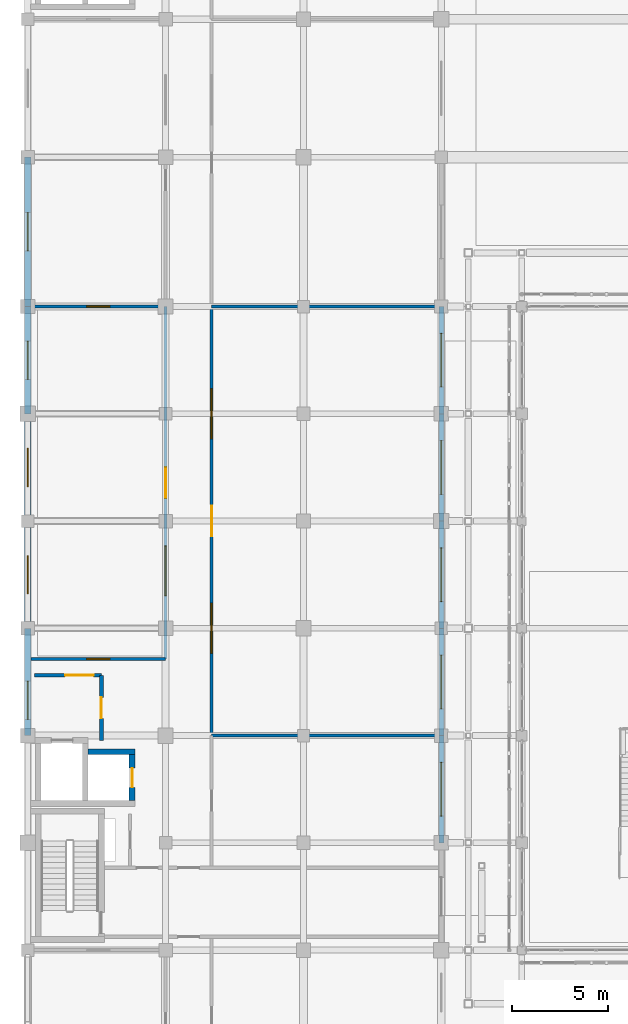
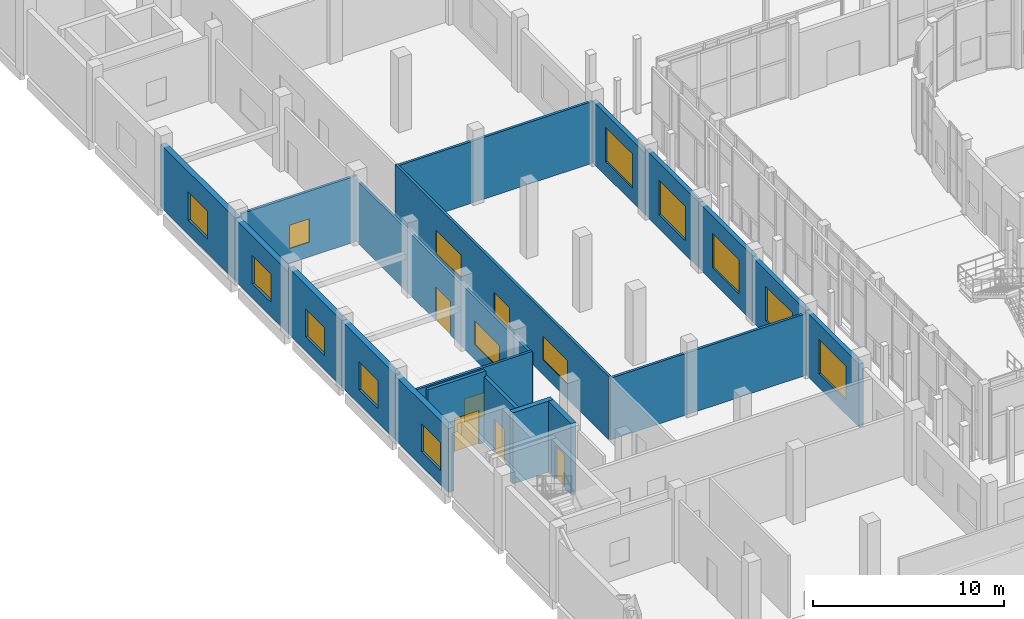
# One storey, part 68 of 91: 20 walls, 15 windows, 5 doors, 20 openings.
"""IFC4 building model written with IfcOpenShell, lengths in metres."""

from ifc_helpers import new_model, si_unit, direction, frame, frame_2d, origin, place, context, subcontext, project, spatial, rectangle, extrude, material, layer, layer_set, type_object, element, fill, save


model = new_model("IFC4")

# Units and contexts
model_context = context("Model", 3, precision=1e-05, world=origin(), true_north=direction((0.0, 1.0)))
body_context = subcontext(model_context, "Body", "Model", "MODEL_VIEW")
ifc_project = project(units=[si_unit("LENGTHUNIT", "METRE"), si_unit("AREAUNIT", "SQUARE_METRE"), si_unit("VOLUMEUNIT", "CUBIC_METRE"), si_unit("PLANEANGLEUNIT", "RADIAN"), si_unit("MASSUNIT", "GRAM", prefix="KILO")], contexts=[model_context])

# Site, building, storey
site_placement = place(None, origin())
site = spatial("IfcSite", under=ifc_project, at=site_placement, CompositionType="ELEMENT")
building_placement = place(site_placement, origin())
building = spatial("IfcBuilding", under=site, at=building_placement, Name="Vinh Khe Railworks Police Headquarters", CompositionType="ELEMENT")
storey_placement = place(building_placement, origin())
storey = spatial("IfcBuildingStorey", under=building, at=storey_placement, Name="L00", CompositionType="ELEMENT", Elevation=0.0)

# Wall
ifc_material_1 = material(Name="Concrete C40/50 (B40)", Category="concrete")
ifc_layer_1 = layer(ifc_material_1, 0.300048828125)
ifc_layer_set_1 = layer_set([ifc_layer_1], Name="Concrete C40/50 (B40)")
wall_type_1 = type_object("IfcWallType", Name="Core Shear Wall 300", PredefinedType="SHEAR", material=ifc_layer_set_1)
wall_1_placement = place(storey_placement, frame((3.75, 35.550048828125, 0.0), z_axis=(0.0, 0.0, 1.0), x_axis=(1.0, 0.0, 0.0)))
element("IfcWall", 1, at=wall_1_placement, inside=storey, type_object=wall_type_1, Name="Core C1 PL-N Lift Shaft Wall (L00)", PredefinedType="SHEAR", context=body_context, shape_type="SweptSolid", body=[
    extrude(rectangle(XDim=2.449951171875, YDim=0.300048828125, at=frame_2d((1.22509765625, 0.0))), origin(), (0.0, 0.0, 1.0), 4.56005859375),
])

# Wall, opening, door
wall_2_placement = place(storey_placement, frame((6.050048828125, 33.0, 0.0), z_axis=(0.0, 0.0, 1.0), x_axis=(0.0, 1.0, 0.0)))
wall_2 = element("IfcWall", 2, at=wall_2_placement, inside=storey, type_object=wall_type_1, Name="Core C1 PL-E Lift Shaft Wall (L00)", PredefinedType="SHEAR", context=body_context, shape_type="SweptSolid", body=[
    extrude(rectangle(XDim=2.39990234375, YDim=0.300048828125, at=frame_2d((1.199951171875, 0.0))), origin(), (0.0, 0.0, 1.0), 4.56005859375),
])
opening_1_placement = place(wall_2_placement, frame((0.699951171875, 0.0, 0.0)))
opening_1 = element("IfcOpeningElement", 3, at=opening_1_placement, cuts=wall_2, Name="Opening LD-02", PredefinedType="OPENING", context=body_context, shape_type="SweptSolid", body=[
    extrude(rectangle(XDim=1.0, YDim=2.14990234375, at=frame_2d((0.5, 1.074951171875))), frame((0.0, 0.1650390625, 0.0), z_axis=(0.0, -1.0, 0.0), x_axis=(1.0, 0.0, 0.0)), (0.0, 0.0, 1.0), 0.329833984375),
])
ifc_material_2 = material(Name="Painted galvanised steel", Category="steel")
door_type_1 = type_object("IfcDoorType", Name="LD-PAX-1000", OperationType="SLIDING_TO_RIGHT", PredefinedType="DOOR", material=ifc_material_2)
door_1_placement = place(opening_1_placement, frame((1.0, 0.0, 0.0), z_axis=(0.0, 0.0, 1.0), x_axis=(-1.0, 0.0, 0.0)))
door_1 = element("IfcDoor", 4, at=door_1_placement, inside=storey, type_object=door_type_1, Name="Passenger Lift Landing Door PL-01 L00", OperationType="SLIDING_TO_RIGHT", OverallHeight=2.14990234375, OverallWidth=1.0, PredefinedType="DOOR", context=body_context, shape_type="SweptSolid", body=[
    extrude(rectangle(XDim=1.0, YDim=2.14990234375, at=frame_2d((0.5, 1.074951171875))), frame((0.0, 0.02490234375, 0.0), z_axis=(0.0, -1.0, 0.0), x_axis=(1.0, 0.0, 0.0)), (0.0, 0.0, 1.0), 0.050048828125),
])
fill(opening_1, door_1)

# Wall, opening, window
ifc_material_3 = material(Name="Clay brickwork", Category="masonry")
ifc_layer_2 = layer(ifc_material_3, 0.260009765625)
ifc_layer_set_2 = layer_set([ifc_layer_2], Name="Clay brickwork")
wall_type_2 = type_object("IfcWallType", Name="EW-BRK-260", PredefinedType="SOLIDWALL", material=ifc_layer_set_2)
wall_3_placement = place(storey_placement, frame((22.199951171875, 30.800048828125, 0.0), z_axis=(0.0, 0.0, 1.0), x_axis=(0.0, 1.0, 0.0)))
wall_3 = element("IfcWall", 5, at=wall_3_placement, inside=storey, type_object=wall_type_2, Name="Exterior Brick Wall EW-L00-V5E-03", PredefinedType="SOLIDWALL", context=body_context, shape_type="SweptSolid", body=[
    extrude(rectangle(XDim=5.599853515625, YDim=0.260009765625, at=frame_2d((2.7998046875, 0.0))), origin(), (0.0, 0.0, 1.0), 4.054931640625),
])
opening_2_placement = place(wall_3_placement, frame((1.39990234375, 0.0, 0.89990234375)))
opening_2 = element("IfcOpeningElement", 6, at=opening_2_placement, cuts=wall_3, Name="Opening WN-01", PredefinedType="OPENING", context=body_context, shape_type="SweptSolid", body=[
    extrude(rectangle(XDim=2.800048828125, YDim=2.199951171875, at=frame_2d((1.39990234375, 1.10009765625))), frame((0.0, 0.14501953125, 0.0), z_axis=(0.0, -1.0, 0.0), x_axis=(1.0, 0.0, 0.0)), (0.0, 0.0, 1.0), 0.289794921875),
])
ifc_material_4 = material(Name="Double-glazed solar-control glass in dark steel frame", Category="steel")
window_type_1 = type_object("IfcWindowType", Name="WIN-WN-01", PartitioningType="DOUBLE_PANEL_VERTICAL", PredefinedType="WINDOW", material=ifc_material_4)
window_1_placement = place(opening_2_placement, origin())
window_1 = element("IfcWindow", 7, at=window_1_placement, inside=storey, type_object=window_type_1, Name="Casement Window WN-01", OverallHeight=2.199951171875, OverallWidth=2.800048828125, PartitioningType="SINGLE_PANEL", PredefinedType="WINDOW", context=body_context, shape_type="SweptSolid", body=[
    extrude(rectangle(XDim=2.800048828125, YDim=2.199951171875, at=frame_2d((1.39990234375, 1.10009765625))), frame((0.0, 0.030029296875, 0.0), z_axis=(0.0, -1.0, 0.0), x_axis=(1.0, 0.0, 0.0)), (0.0, 0.0, 1.0), 0.06005859375),
])
fill(opening_2, window_1)

wall_4_placement = place(storey_placement, frame((22.199951171875, 36.39990234375, 0.0), z_axis=(0.0, 0.0, 1.0), x_axis=(0.0, 1.0, 0.0)))
wall_4 = element("IfcWall", 8, at=wall_4_placement, inside=storey, type_object=wall_type_2, Name="Exterior Brick Wall EW-L00-V5E-04", PredefinedType="SOLIDWALL", context=body_context, shape_type="SweptSolid", body=[
    extrude(rectangle(XDim=5.60009765625, YDim=0.260009765625, at=frame_2d((2.800048828125, 0.0))), origin(), (0.0, 0.0, 1.0), 4.10498046875),
])
opening_3_placement = place(wall_4_placement, frame((1.39990234375, 0.0, 0.89990234375)))
opening_3 = element("IfcOpeningElement", 9, at=opening_3_placement, cuts=wall_4, Name="Opening WN-01", PredefinedType="OPENING", context=body_context, shape_type="SweptSolid", body=[
    extrude(rectangle(XDim=2.800048828125, YDim=2.199951171875, at=frame_2d((1.39990234375, 1.10009765625))), frame((0.0, 0.14501953125, 0.0), z_axis=(0.0, -1.0, 0.0), x_axis=(1.0, 0.0, 0.0)), (0.0, 0.0, 1.0), 0.289794921875),
])
window_2_placement = place(opening_3_placement, origin())
window_2 = element("IfcWindow", 10, at=window_2_placement, inside=storey, type_object=window_type_1, Name="Casement Window WN-01", OverallHeight=2.199951171875, OverallWidth=2.800048828125, PartitioningType="SINGLE_PANEL", PredefinedType="WINDOW", context=body_context, shape_type="SweptSolid", body=[
    extrude(rectangle(XDim=2.800048828125, YDim=2.199951171875, at=frame_2d((1.39990234375, 1.10009765625))), frame((0.0, 0.030029296875, 0.0), z_axis=(0.0, -1.0, 0.0), x_axis=(1.0, 0.0, 0.0)), (0.0, 0.0, 1.0), 0.06005859375),
])
fill(opening_3, window_2)

wall_5_placement = place(storey_placement, frame((22.199951171875, 42.0, 0.0), z_axis=(0.0, 0.0, 1.0), x_axis=(0.0, 1.0, 0.0)))
wall_5 = element("IfcWall", 11, at=wall_5_placement, inside=storey, type_object=wall_type_2, Name="Exterior Brick Wall EW-L00-V5E-05", PredefinedType="SOLIDWALL", context=body_context, shape_type="SweptSolid", body=[
    extrude(rectangle(XDim=5.60009765625, YDim=0.260009765625, at=frame_2d((2.800048828125, 0.0))), origin(), (0.0, 0.0, 1.0), 4.205078125),
])
opening_4_placement = place(wall_5_placement, frame((1.39990234375, 0.0, 0.89990234375)))
opening_4 = element("IfcOpeningElement", 12, at=opening_4_placement, cuts=wall_5, Name="Opening WN-01", PredefinedType="OPENING", context=body_context, shape_type="SweptSolid", body=[
    extrude(rectangle(XDim=2.800048828125, YDim=2.199951171875, at=frame_2d((1.39990234375, 1.10009765625))), frame((0.0, 0.14501953125, 0.0), z_axis=(0.0, -1.0, 0.0), x_axis=(1.0, 0.0, 0.0)), (0.0, 0.0, 1.0), 0.289794921875),
])
window_3_placement = place(opening_4_placement, origin())
window_3 = element("IfcWindow", 13, at=window_3_placement, inside=storey, type_object=window_type_1, Name="Casement Window WN-01", OverallHeight=2.199951171875, OverallWidth=2.800048828125, PartitioningType="SINGLE_PANEL", PredefinedType="WINDOW", context=body_context, shape_type="SweptSolid", body=[
    extrude(rectangle(XDim=2.800048828125, YDim=2.199951171875, at=frame_2d((1.39990234375, 1.10009765625))), frame((0.0, 0.030029296875, 0.0), z_axis=(0.0, -1.0, 0.0), x_axis=(1.0, 0.0, 0.0)), (0.0, 0.0, 1.0), 0.06005859375),
])
fill(opening_4, window_3)

wall_6_placement = place(storey_placement, frame((22.199951171875, 47.60009765625, 0.0), z_axis=(0.0, 0.0, 1.0), x_axis=(0.0, 1.0, 0.0)))
wall_6 = element("IfcWall", 14, at=wall_6_placement, inside=storey, type_object=wall_type_2, Name="Exterior Brick Wall EW-L00-V5E-06", PredefinedType="SOLIDWALL", context=body_context, shape_type="SweptSolid", body=[
    extrude(rectangle(XDim=5.599853515625, YDim=0.260009765625, at=frame_2d((2.7998046875, 0.0))), origin(), (0.0, 0.0, 1.0), 4.22509765625),
])
opening_5_placement = place(wall_6_placement, frame((1.39990234375, 0.0, 0.89990234375)))
opening_5 = element("IfcOpeningElement", 15, at=opening_5_placement, cuts=wall_6, Name="Opening WN-01", PredefinedType="OPENING", context=body_context, shape_type="SweptSolid", body=[
    extrude(rectangle(XDim=2.800048828125, YDim=2.199951171875, at=frame_2d((1.39990234375, 1.10009765625))), frame((0.0, 0.14501953125, 0.0), z_axis=(0.0, -1.0, 0.0), x_axis=(1.0, 0.0, 0.0)), (0.0, 0.0, 1.0), 0.289794921875),
])
window_4_placement = place(opening_5_placement, origin())
window_4 = element("IfcWindow", 16, at=window_4_placement, inside=storey, type_object=window_type_1, Name="Casement Window WN-01", OverallHeight=2.199951171875, OverallWidth=2.800048828125, PartitioningType="SINGLE_PANEL", PredefinedType="WINDOW", context=body_context, shape_type="SweptSolid", body=[
    extrude(rectangle(XDim=2.800048828125, YDim=2.199951171875, at=frame_2d((1.39990234375, 1.10009765625))), frame((0.0, 0.030029296875, 0.0), z_axis=(0.0, -1.0, 0.0), x_axis=(1.0, 0.0, 0.0)), (0.0, 0.0, 1.0), 0.06005859375),
])
fill(opening_5, window_4)

wall_7_placement = place(storey_placement, frame((22.199951171875, 53.199951171875, 0.0), z_axis=(0.0, 0.0, 1.0), x_axis=(0.0, 1.0, 0.0)))
wall_7 = element("IfcWall", 17, at=wall_7_placement, inside=storey, type_object=wall_type_2, Name="Exterior Brick Wall EW-L00-V5E-07", PredefinedType="SOLIDWALL", context=body_context, shape_type="SweptSolid", body=[
    extrude(rectangle(XDim=5.60009765625, YDim=0.260009765625, at=frame_2d((2.800048828125, 0.0))), origin(), (0.0, 0.0, 1.0), 3.955078125),
])
opening_6_placement = place(wall_7_placement, frame((1.39990234375, 0.0, 0.89990234375)))
opening_6 = element("IfcOpeningElement", 18, at=opening_6_placement, cuts=wall_7, Name="Opening WN-01", PredefinedType="OPENING", context=body_context, shape_type="SweptSolid", body=[
    extrude(rectangle(XDim=2.800048828125, YDim=2.199951171875, at=frame_2d((1.39990234375, 1.10009765625))), frame((0.0, 0.14501953125, 0.0), z_axis=(0.0, -1.0, 0.0), x_axis=(1.0, 0.0, 0.0)), (0.0, 0.0, 1.0), 0.289794921875),
])
window_5_placement = place(opening_6_placement, origin())
window_5 = element("IfcWindow", 19, at=window_5_placement, inside=storey, type_object=window_type_1, Name="Casement Window WN-01", OverallHeight=2.199951171875, OverallWidth=2.800048828125, PartitioningType="SINGLE_PANEL", PredefinedType="WINDOW", context=body_context, shape_type="SweptSolid", body=[
    extrude(rectangle(XDim=2.800048828125, YDim=2.199951171875, at=frame_2d((1.39990234375, 1.10009765625))), frame((0.0, 0.030029296875, 0.0), z_axis=(0.0, -1.0, 0.0), x_axis=(1.0, 0.0, 0.0)), (0.0, 0.0, 1.0), 0.06005859375),
])
fill(opening_6, window_5)

ifc_layer_3 = layer(ifc_material_3, 0.340087890625)
ifc_layer_set_3 = layer_set([ifc_layer_3], Name="Clay brickwork")
wall_type_3 = type_object("IfcWallType", Name="EW-BRK-340", PredefinedType="SOLIDWALL", material=ifc_layer_set_3)
wall_8_placement = place(storey_placement, frame((0.60009765625, 36.39990234375, 0.0), z_axis=(0.0, 0.0, 1.0), x_axis=(0.0, 1.0, 0.0)))
wall_8 = element("IfcWall", 20, at=wall_8_placement, inside=storey, type_object=wall_type_3, Name="Exterior Brick Wall EW-L00-V5W-04", PredefinedType="SOLIDWALL", context=body_context, shape_type="SweptSolid", body=[
    extrude(rectangle(XDim=5.60009765625, YDim=0.340087890625, at=frame_2d((2.800048828125, 0.0))), origin(), (0.0, 0.0, 1.0), 4.10498046875),
])
opening_7_placement = place(wall_8_placement, frame((0.85009765625, 0.0, 0.89990234375)))
opening_7 = element("IfcOpeningElement", 21, at=opening_7_placement, cuts=wall_8, Name="Opening WN-04", PredefinedType="OPENING", context=body_context, shape_type="SweptSolid", body=[
    extrude(rectangle(XDim=2.0, YDim=1.800048828125, at=frame_2d((1.0, 0.89990234375))), frame((0.0, 0.18505859375, 0.0), z_axis=(0.0, -1.0, 0.0), x_axis=(1.0, 0.0, 0.0)), (0.0, 0.0, 1.0), 0.369873046875),
])
window_type_2 = type_object("IfcWindowType", Name="WIN-WN-04", PartitioningType="DOUBLE_PANEL_VERTICAL", PredefinedType="WINDOW", material=ifc_material_4)
window_6_placement = place(opening_7_placement, origin())
window_6 = element("IfcWindow", 22, at=window_6_placement, inside=storey, type_object=window_type_2, Name="Casement Window WN-04", OverallHeight=1.800048828125, OverallWidth=2.0, PartitioningType="SINGLE_PANEL", PredefinedType="WINDOW", context=body_context, shape_type="SweptSolid", body=[
    extrude(rectangle(XDim=2.0, YDim=1.800048828125, at=frame_2d((1.0, 0.89990234375))), frame((0.0, 0.030029296875, 0.0), z_axis=(0.0, -1.0, 0.0), x_axis=(1.0, 0.0, 0.0)), (0.0, 0.0, 1.0), 0.06005859375),
])
fill(opening_7, window_6)

wall_9_placement = place(storey_placement, frame((0.60009765625, 42.0, 0.0), z_axis=(0.0, 0.0, 1.0), x_axis=(0.0, 1.0, 0.0)))
wall_9 = element("IfcWall", 23, at=wall_9_placement, inside=storey, type_object=wall_type_3, Name="Exterior Brick Wall EW-L00-V5W-05", PredefinedType="SOLIDWALL", context=body_context, shape_type="SweptSolid", body=[
    extrude(rectangle(XDim=5.60009765625, YDim=0.340087890625, at=frame_2d((2.800048828125, 0.0))), origin(), (0.0, 0.0, 1.0), 4.205078125),
])
opening_8_placement = place(wall_9_placement, frame((1.800048828125, 0.0, 0.89990234375)))
opening_8 = element("IfcOpeningElement", 24, at=opening_8_placement, cuts=wall_9, Name="Opening WN-04", PredefinedType="OPENING", context=body_context, shape_type="SweptSolid", body=[
    extrude(rectangle(XDim=2.0, YDim=1.800048828125, at=frame_2d((1.0, 0.89990234375))), frame((0.0, 0.18505859375, 0.0), z_axis=(0.0, -1.0, 0.0), x_axis=(1.0, 0.0, 0.0)), (0.0, 0.0, 1.0), 0.369873046875),
])
window_7_placement = place(opening_8_placement, origin())
window_7 = element("IfcWindow", 25, at=window_7_placement, inside=storey, type_object=window_type_2, Name="Casement Window WN-04", OverallHeight=1.800048828125, OverallWidth=2.0, PartitioningType="SINGLE_PANEL", PredefinedType="WINDOW", context=body_context, shape_type="SweptSolid", body=[
    extrude(rectangle(XDim=2.0, YDim=1.800048828125, at=frame_2d((1.0, 0.89990234375))), frame((0.0, 0.030029296875, 0.0), z_axis=(0.0, -1.0, 0.0), x_axis=(1.0, 0.0, 0.0)), (0.0, 0.0, 1.0), 0.06005859375),
])
fill(opening_8, window_7)

wall_10_placement = place(storey_placement, frame((0.60009765625, 47.60009765625, 0.0), z_axis=(0.0, 0.0, 1.0), x_axis=(0.0, 1.0, 0.0)))
wall_10 = element("IfcWall", 26, at=wall_10_placement, inside=storey, type_object=wall_type_3, Name="Exterior Brick Wall EW-L00-V5W-06", PredefinedType="SOLIDWALL", context=body_context, shape_type="SweptSolid", body=[
    extrude(rectangle(XDim=5.599853515625, YDim=0.340087890625, at=frame_2d((2.7998046875, 0.0))), origin(), (0.0, 0.0, 1.0), 4.22509765625),
])
opening_9_placement = place(wall_10_placement, frame((1.800048828125, 0.0, 0.89990234375)))
opening_9 = element("IfcOpeningElement", 27, at=opening_9_placement, cuts=wall_10, Name="Opening WN-04", PredefinedType="OPENING", context=body_context, shape_type="SweptSolid", body=[
    extrude(rectangle(XDim=2.0, YDim=1.800048828125, at=frame_2d((1.0, 0.89990234375))), frame((0.0, 0.18505859375, 0.0), z_axis=(0.0, -1.0, 0.0), x_axis=(1.0, 0.0, 0.0)), (0.0, 0.0, 1.0), 0.369873046875),
])
window_8_placement = place(opening_9_placement, origin())
window_8 = element("IfcWindow", 28, at=window_8_placement, inside=storey, type_object=window_type_2, Name="Casement Window WN-04", OverallHeight=1.800048828125, OverallWidth=2.0, PartitioningType="SINGLE_PANEL", PredefinedType="WINDOW", context=body_context, shape_type="SweptSolid", body=[
    extrude(rectangle(XDim=2.0, YDim=1.800048828125, at=frame_2d((1.0, 0.89990234375))), frame((0.0, 0.030029296875, 0.0), z_axis=(0.0, -1.0, 0.0), x_axis=(1.0, 0.0, 0.0)), (0.0, 0.0, 1.0), 0.06005859375),
])
fill(opening_9, window_8)

wall_11_placement = place(storey_placement, frame((0.60009765625, 53.199951171875, 0.0), z_axis=(0.0, 0.0, 1.0), x_axis=(0.0, 1.0, 0.0)))
wall_11 = element("IfcWall", 29, at=wall_11_placement, inside=storey, type_object=wall_type_3, Name="Exterior Brick Wall EW-L00-V5W-07", PredefinedType="SOLIDWALL", context=body_context, shape_type="SweptSolid", body=[
    extrude(rectangle(XDim=5.60009765625, YDim=0.340087890625, at=frame_2d((2.800048828125, 0.0))), origin(), (0.0, 0.0, 1.0), 3.955078125),
])
opening_10_placement = place(wall_11_placement, frame((1.800048828125, 0.0, 0.89990234375)))
opening_10 = element("IfcOpeningElement", 30, at=opening_10_placement, cuts=wall_11, Name="Opening WN-04", PredefinedType="OPENING", context=body_context, shape_type="SweptSolid", body=[
    extrude(rectangle(XDim=2.0, YDim=1.800048828125, at=frame_2d((1.0, 0.89990234375))), frame((0.0, 0.18505859375, 0.0), z_axis=(0.0, -1.0, 0.0), x_axis=(1.0, 0.0, 0.0)), (0.0, 0.0, 1.0), 0.369873046875),
])
window_9_placement = place(opening_10_placement, origin())
window_9 = element("IfcWindow", 31, at=window_9_placement, inside=storey, type_object=window_type_2, Name="Casement Window WN-04", OverallHeight=1.800048828125, OverallWidth=2.0, PartitioningType="SINGLE_PANEL", PredefinedType="WINDOW", context=body_context, shape_type="SweptSolid", body=[
    extrude(rectangle(XDim=2.0, YDim=1.800048828125, at=frame_2d((1.0, 0.89990234375))), frame((0.0, 0.030029296875, 0.0), z_axis=(0.0, -1.0, 0.0), x_axis=(1.0, 0.0, 0.0)), (0.0, 0.0, 1.0), 0.06005859375),
])
fill(opening_10, window_9)

wall_12_placement = place(storey_placement, frame((0.60009765625, 58.800048828125, 0.0), z_axis=(0.0, 0.0, 1.0), x_axis=(0.0, 1.0, 0.0)))
wall_12 = element("IfcWall", 32, at=wall_12_placement, inside=storey, type_object=wall_type_3, Name="Exterior Brick Wall EW-L00-V5W-08", PredefinedType="SOLIDWALL", context=body_context, shape_type="SweptSolid", body=[
    extrude(rectangle(XDim=7.800048828125, YDim=0.340087890625, at=frame_2d((3.89990234375, 0.0))), origin(), (0.0, 0.0, 1.0), 4.0048828125),
])
opening_11_placement = place(wall_12_placement, frame((2.89990234375, 0.0, 0.89990234375)))
opening_11 = element("IfcOpeningElement", 33, at=opening_11_placement, cuts=wall_12, Name="Opening WN-04", PredefinedType="OPENING", context=body_context, shape_type="SweptSolid", body=[
    extrude(rectangle(XDim=2.0, YDim=1.800048828125, at=frame_2d((1.0, 0.89990234375))), frame((0.0, 0.18505859375, 0.0), z_axis=(0.0, -1.0, 0.0), x_axis=(1.0, 0.0, 0.0)), (0.0, 0.0, 1.0), 0.369873046875),
])
window_10_placement = place(opening_11_placement, origin())
window_10 = element("IfcWindow", 34, at=window_10_placement, inside=storey, type_object=window_type_2, Name="Casement Window WN-04", OverallHeight=1.800048828125, OverallWidth=2.0, PartitioningType="SINGLE_PANEL", PredefinedType="WINDOW", context=body_context, shape_type="SweptSolid", body=[
    extrude(rectangle(XDim=2.0, YDim=1.800048828125, at=frame_2d((1.0, 0.89990234375))), frame((0.0, 0.030029296875, 0.0), z_axis=(0.0, -1.0, 0.0), x_axis=(1.0, 0.0, 0.0)), (0.0, 0.0, 1.0), 0.06005859375),
])
fill(opening_11, window_10)

# Wall, opening, door
ifc_material_5 = material(Name="Autoclaved aerated concrete blockwork", Category="masonry")
ifc_layer_4 = layer(ifc_material_5, 0.199951171875)
ifc_layer_set_4 = layer_set([ifc_layer_4], Name="Autoclaved aerated concrete blockwork")
wall_type_4 = type_object("IfcWallType", Name="IW-BLK-200", PredefinedType="PARTITIONING", material=ifc_layer_set_4)
wall_13_placement = place(storey_placement, frame((0.949951171875, 39.550048828125, 0.0), z_axis=(0.0, 0.0, 1.0), x_axis=(1.0, 0.0, 0.0)))
wall_13 = element("IfcWall", 35, at=wall_13_placement, inside=storey, type_object=wall_type_4, Name="Interior Partition W-FFL-C1-N-L00", PredefinedType="PARTITIONING", context=body_context, shape_type="SweptSolid", body=[
    extrude(rectangle(XDim=3.5, YDim=0.199951171875, at=frame_2d((1.75, 0.0))), origin(), (0.0, 0.0, 1.0), 4.554931640625),
])
opening_12_placement = place(wall_13_placement, frame((1.60009765625, 0.0, 0.0)))
opening_12 = element("IfcOpeningElement", 36, at=opening_12_placement, cuts=wall_13, Name="Opening FD-02", PredefinedType="OPENING", context=body_context, shape_type="SweptSolid", body=[
    extrude(rectangle(XDim=1.5, YDim=2.14990234375, at=frame_2d((0.75, 1.074951171875))), frame((0.0, 0.11474609375, 0.0), z_axis=(0.0, -1.0, 0.0), x_axis=(1.0, 0.0, 0.0)), (0.0, 0.0, 1.0), 0.229736328125),
])
door_type_2 = type_object("IfcDoorType", Name="FD-1500x2150", OperationType="DOUBLE_DOOR_SINGLE_SWING", PredefinedType="DOOR", material=ifc_material_2)
door_2_placement = place(opening_12_placement, frame((1.5, 0.0, 0.0), z_axis=(0.0, 0.0, 1.0), x_axis=(-1.0, 0.0, 0.0)))
door_2 = element("IfcDoor", 37, at=door_2_placement, inside=storey, type_object=door_type_2, Name="Firefighting Lobby Door", OperationType="DOUBLE_DOOR_SINGLE_SWING", OverallHeight=2.14990234375, OverallWidth=1.5, PredefinedType="DOOR", context=body_context, shape_type="SweptSolid", body=[
    extrude(rectangle(XDim=1.5, YDim=2.14990234375, at=frame_2d((0.75, 1.074951171875))), frame((0.0, 0.02490234375, 0.0), z_axis=(0.0, -1.0, 0.0), x_axis=(1.0, 0.0, 0.0)), (0.0, 0.0, 1.0), 0.050048828125),
])
fill(opening_12, door_2)

wall_14_placement = place(storey_placement, frame((4.449951171875, 36.14990234375, 0.0), z_axis=(0.0, 0.0, 1.0), x_axis=(0.0, 1.0, 0.0)))
wall_14 = element("IfcWall", 38, at=wall_14_placement, inside=storey, type_object=wall_type_4, Name="Interior Partition W-FFL-C1-E-L00", PredefinedType="PARTITIONING", context=body_context, shape_type="SweptSolid", body=[
    extrude(rectangle(XDim=3.400146484375, YDim=0.199951171875, at=frame_2d((1.7001953125, 0.0))), origin(), (0.0, 0.0, 1.0), 4.205078125),
])
opening_13_placement = place(wall_14_placement, frame((1.14990234375, 0.0, 0.0)))
opening_13 = element("IfcOpeningElement", 39, at=opening_13_placement, cuts=wall_14, Name="Opening FD-01", PredefinedType="OPENING", context=body_context, shape_type="SweptSolid", body=[
    extrude(rectangle(XDim=1.10009765625, YDim=2.14990234375, at=frame_2d((0.550048828125, 1.074951171875))), frame((0.0, 0.11474609375, 0.0), z_axis=(0.0, -1.0, 0.0), x_axis=(1.0, 0.0, 0.0)), (0.0, 0.0, 1.0), 0.229736328125),
])
door_type_3 = type_object("IfcDoorType", Name="FD-1100x2150", OperationType="NOTDEFINED", PredefinedType="DOOR", material=ifc_material_2)
door_3_placement = place(opening_13_placement, origin())
door_3 = element("IfcDoor", 40, at=door_3_placement, inside=storey, type_object=door_type_3, Name="Firefighting Lobby Exit Door", OperationType="SINGLE_SWING_RIGHT", OverallHeight=2.14990234375, OverallWidth=1.10009765625, PredefinedType="DOOR", context=body_context, shape_type="SweptSolid", body=[
    extrude(rectangle(XDim=1.10009765625, YDim=2.14990234375, at=frame_2d((0.550048828125, 1.074951171875))), frame((0.0, 0.02490234375, 0.0), z_axis=(0.0, -1.0, 0.0), x_axis=(1.0, 0.0, 0.0)), (0.0, 0.0, 1.0), 0.050048828125),
])
fill(opening_13, door_3)

# Wall, opening, window
ifc_material_6 = material(Name="Gypsum plasterboard on steel stud", Category="steel")
ifc_layer_5 = layer(ifc_material_6, 0.1201171875)
ifc_layer_set_5 = layer_set([ifc_layer_5], Name="Gypsum plasterboard on steel stud")
wall_type_5 = type_object("IfcWallType", Name="IW-PART-120", PredefinedType="PARTITIONING", material=ifc_layer_set_5)
wall_15_placement = place(storey_placement, frame((0.780029296875, 40.39990234375, 0.0), z_axis=(0.0, 0.0, 1.0), x_axis=(1.0, 0.0, 0.0)))
wall_15 = element("IfcWall", 41, at=wall_15_placement, inside=storey, type_object=wall_type_5, Name="Interior Partition W-L00-V5-PAT1-DIV", PredefinedType="PARTITIONING", context=body_context, shape_type="SweptSolid", body=[
    extrude(rectangle(XDim=7.02001953125, YDim=0.14990234375, at=frame_2d((3.510009765625, 0.0))), origin(), (0.0, 0.0, 1.0), 4.10498046875),
])
opening_14_placement = place(wall_15_placement, frame((2.909912109375, 0.0, 0.949951171875)))
opening_14 = element("IfcOpeningElement", 42, at=opening_14_placement, cuts=wall_15, Name="Opening WN-10", PredefinedType="OPENING", context=body_context, shape_type="SweptSolid", body=[
    extrude(rectangle(XDim=1.199951171875, YDim=1.5, at=frame_2d((0.60009765625, 0.75))), frame((0.0, 0.08984375, 0.0), z_axis=(0.0, -1.0, 0.0), x_axis=(1.0, 0.0, 0.0)), (0.0, 0.0, 1.0), 0.1796875),
])
window_type_3 = type_object("IfcWindowType", Name="WIN-WN-10", PartitioningType="SINGLE_PANEL", PredefinedType="WINDOW", material=ifc_material_4)
window_11_placement = place(opening_14_placement, origin())
window_11 = element("IfcWindow", 43, at=window_11_placement, inside=storey, type_object=window_type_3, Name="Interior Acoustic Vision Window WN-10", OverallHeight=1.5, OverallWidth=1.199951171875, PartitioningType="SINGLE_PANEL", PredefinedType="WINDOW", context=body_context, shape_type="SweptSolid", body=[
    extrude(rectangle(XDim=1.199951171875, YDim=1.5, at=frame_2d((0.60009765625, 0.75))), frame((0.0, 0.030029296875, 0.0), z_axis=(0.0, -1.0, 0.0), x_axis=(1.0, 0.0, 0.0)), (0.0, 0.0, 1.0), 0.06005859375),
])
fill(opening_14, window_11)

wall_16_placement = place(storey_placement, frame((0.780029296875, 58.800048828125, 0.0), z_axis=(0.0, 0.0, 1.0), x_axis=(1.0, 0.0, 0.0)))
wall_16 = element("IfcWall", 44, at=wall_16_placement, inside=storey, type_object=wall_type_5, Name="Interior Partition W-L00-V5-LOCK-DIV", PredefinedType="PARTITIONING", context=body_context, shape_type="SweptSolid", body=[
    extrude(rectangle(XDim=7.02001953125, YDim=0.14990234375, at=frame_2d((3.510009765625, 0.0))), origin(), (0.0, 0.0, 1.0), 4.205078125),
])
opening_15_placement = place(wall_16_placement, frame((2.909912109375, 0.0, 0.949951171875)))
opening_15 = element("IfcOpeningElement", 45, at=opening_15_placement, cuts=wall_16, Name="Opening WN-10", PredefinedType="OPENING", context=body_context, shape_type="SweptSolid", body=[
    extrude(rectangle(XDim=1.199951171875, YDim=1.5, at=frame_2d((0.60009765625, 0.75))), frame((0.0, 0.08984375, 0.0), z_axis=(0.0, -1.0, 0.0), x_axis=(1.0, 0.0, 0.0)), (0.0, 0.0, 1.0), 0.1796875),
])
window_12_placement = place(opening_15_placement, origin())
window_12 = element("IfcWindow", 46, at=window_12_placement, inside=storey, type_object=window_type_3, Name="Interior Acoustic Vision Window WN-10", OverallHeight=1.5, OverallWidth=1.199951171875, PartitioningType="SINGLE_PANEL", PredefinedType="WINDOW", context=body_context, shape_type="SweptSolid", body=[
    extrude(rectangle(XDim=1.199951171875, YDim=1.5, at=frame_2d((0.60009765625, 0.75))), frame((0.0, 0.030029296875, 0.0), z_axis=(0.0, -1.0, 0.0), x_axis=(1.0, 0.0, 0.0)), (0.0, 0.0, 1.0), 0.06005859375),
])
fill(opening_15, window_12)

# Walls
for number, where, z_axis, x_axis, name in (
    (47, (10.199951171875, 36.39990234375, 0.0), (0.0, 0.0, 1.0), (1.0, 0.0, 0.0), "Interior Partition W-L00-V5-TRAF0-DIV"),
    (48, (10.199951171875, 58.800048828125, 0.0), (0.0, 0.0, 1.0), (1.0, 0.0, 0.0), "Interior Partition W-L00-V5-LOST-DIV"),
):
    element("IfcWall", number, at=place(storey_placement, frame(where, z_axis=z_axis, x_axis=x_axis)), inside=storey, type_object=wall_type_5, Name=name, PredefinedType="PARTITIONING", context=body_context, shape_type="SweptSolid", body=[
        extrude(rectangle(XDim=11.860107421875, YDim=0.14990234375, at=frame_2d((5.93017578125, 0.0))), origin(), (0.0, 0.0, 1.0), 3.955078125),
    ])

# Wall, openings, door, window
ifc_material_7 = material(Name="Gypsum plasterboard on acoustic steel stud", Category="steel")
ifc_layer_6 = layer(ifc_material_7, 0.14990234375)
ifc_layer_set_6 = layer_set([ifc_layer_6], Name="Gypsum plasterboard on acoustic steel stud")
wall_type_6 = type_object("IfcWallType", Name="IW-PART-150", PredefinedType="PARTITIONING", material=ifc_layer_set_6)
wall_17_placement = place(storey_placement, frame((7.800048828125, 40.39990234375, 0.0), z_axis=(0.0, 0.0, 1.0), x_axis=(0.0, 1.0, 0.0)))
wall_17 = element("IfcWall", 49, at=wall_17_placement, inside=storey, type_object=wall_type_6, Name="Interior Partition W-L00-V5-PAT1-CW", PredefinedType="PARTITIONING", context=body_context, shape_type="SweptSolid", body=[
    extrude(rectangle(XDim=18.400146484375, YDim=0.14990234375, at=frame_2d((9.2001953125, 0.0))), origin(), (0.0, 0.0, 1.0), 3.955078125),
])
opening_16_placement = place(wall_17_placement, frame((8.39990234375, 0.0, 0.0)))
opening_16 = element("IfcOpeningElement", 50, at=opening_16_placement, cuts=wall_17, Name="Opening D-03", PredefinedType="OPENING", context=body_context, shape_type="SweptSolid", body=[
    extrude(rectangle(XDim=1.60009765625, YDim=2.14990234375, at=frame_2d((0.800048828125, 1.074951171875))), frame((0.0, 0.08984375, 0.0), z_axis=(0.0, -1.0, 0.0), x_axis=(1.0, 0.0, 0.0)), (0.0, 0.0, 1.0), 0.1796875),
])
opening_17_placement = place(wall_17_placement, frame((3.300048828125, 0.0, 0.949951171875)))
opening_17 = element("IfcOpeningElement", 51, at=opening_17_placement, cuts=wall_17, Name="Opening WN-07", PredefinedType="OPENING", context=body_context, shape_type="SweptSolid", body=[
    extrude(rectangle(XDim=2.60009765625, YDim=1.5, at=frame_2d((1.300048828125, 0.75))), frame((0.0, 0.08984375, 0.0), z_axis=(0.0, -1.0, 0.0), x_axis=(1.0, 0.0, 0.0)), (0.0, 0.0, 1.0), 0.1796875),
])
door_type_4 = type_object("IfcDoorType", Name="ID-1600x2150", OperationType="DOUBLE_DOOR_SINGLE_SWING", PredefinedType="DOOR", material=ifc_material_2)
door_4_placement = place(opening_16_placement, origin())
door_4 = element("IfcDoor", 52, at=door_4_placement, inside=storey, type_object=door_type_4, Name="Patrol Shift Briefing Room Door", OperationType="DOUBLE_DOOR_SINGLE_SWING", OverallHeight=2.14990234375, OverallWidth=1.60009765625, PredefinedType="DOOR", context=body_context, shape_type="SweptSolid", body=[
    extrude(rectangle(XDim=1.60009765625, YDim=2.14990234375, at=frame_2d((0.800048828125, 1.074951171875))), frame((0.0, 0.02490234375, 0.0), z_axis=(0.0, -1.0, 0.0), x_axis=(1.0, 0.0, 0.0)), (0.0, 0.0, 1.0), 0.050048828125),
])
fill(opening_16, door_4)
window_type_4 = type_object("IfcWindowType", Name="WIN-WN-07", PartitioningType="DOUBLE_PANEL_HORIZONTAL", PredefinedType="WINDOW", material=ifc_material_4)
window_13_placement = place(opening_17_placement, origin())
window_13 = element("IfcWindow", 53, at=window_13_placement, inside=storey, type_object=window_type_4, Name="Interior Acoustic Vision Window WN-07", OverallHeight=1.5, OverallWidth=2.60009765625, PartitioningType="SINGLE_PANEL", PredefinedType="WINDOW", context=body_context, shape_type="SweptSolid", body=[
    extrude(rectangle(XDim=2.60009765625, YDim=1.5, at=frame_2d((1.300048828125, 0.75))), frame((0.0, 0.030029296875, 0.0), z_axis=(0.0, -1.0, 0.0), x_axis=(1.0, 0.0, 0.0)), (0.0, 0.0, 1.0), 0.06005859375),
])
fill(opening_17, window_13)

# Wall, openings, door, windows
wall_18_placement = place(storey_placement, frame((10.199951171875, 36.39990234375, 0.0), z_axis=(0.0, 0.0, 1.0), x_axis=(0.0, 1.0, 0.0)))
wall_18 = element("IfcWall", 54, at=wall_18_placement, inside=storey, type_object=wall_type_6, Name="Interior Partition W-L00-V5-TRAF0-CE", PredefinedType="PARTITIONING", context=body_context, shape_type="SweptSolid", body=[
    extrude(rectangle(XDim=22.400146484375, YDim=0.14990234375, at=frame_2d((11.2001953125, 0.0))), origin(), (0.0, 0.0, 1.0), 4.054931640625),
])
opening_18_placement = place(wall_18_placement, frame((10.39990234375, 0.0, 0.0)))
opening_18 = element("IfcOpeningElement", 55, at=opening_18_placement, cuts=wall_18, Name="Opening D-03", PredefinedType="OPENING", context=body_context, shape_type="SweptSolid", body=[
    extrude(rectangle(XDim=1.60009765625, YDim=2.14990234375, at=frame_2d((0.800048828125, 1.074951171875))), frame((0.0, 0.08984375, 0.0), z_axis=(0.0, -1.0, 0.0), x_axis=(1.0, 0.0, 0.0)), (0.0, 0.0, 1.0), 0.1796875),
])
opening_19_placement = place(wall_18_placement, frame((4.300048828125, 0.0, 0.949951171875)))
opening_19 = element("IfcOpeningElement", 56, at=opening_19_placement, cuts=wall_18, Name="Opening WN-07", PredefinedType="OPENING", context=body_context, shape_type="SweptSolid", body=[
    extrude(rectangle(XDim=2.60009765625, YDim=1.5, at=frame_2d((1.300048828125, 0.75))), frame((0.0, 0.08984375, 0.0), z_axis=(0.0, -1.0, 0.0), x_axis=(1.0, 0.0, 0.0)), (0.0, 0.0, 1.0), 0.1796875),
])
opening_20_placement = place(wall_18_placement, frame((15.5, 0.0, 0.949951171875)))
opening_20 = element("IfcOpeningElement", 57, at=opening_20_placement, cuts=wall_18, Name="Opening WN-07", PredefinedType="OPENING", context=body_context, shape_type="SweptSolid", body=[
    extrude(rectangle(XDim=2.60009765625, YDim=1.5, at=frame_2d((1.300048828125, 0.75))), frame((0.0, 0.08984375, 0.0), z_axis=(0.0, -1.0, 0.0), x_axis=(1.0, 0.0, 0.0)), (0.0, 0.0, 1.0), 0.1796875),
])
door_5_placement = place(opening_18_placement, origin())
door_5 = element("IfcDoor", 58, at=door_5_placement, inside=storey, type_object=door_type_4, Name="Traffic Incident Reporting Hall Door", OperationType="DOUBLE_DOOR_SINGLE_SWING", OverallHeight=2.14990234375, OverallWidth=1.60009765625, PredefinedType="DOOR", context=body_context, shape_type="SweptSolid", body=[
    extrude(rectangle(XDim=1.60009765625, YDim=2.14990234375, at=frame_2d((0.800048828125, 1.074951171875))), frame((0.0, 0.02490234375, 0.0), z_axis=(0.0, -1.0, 0.0), x_axis=(1.0, 0.0, 0.0)), (0.0, 0.0, 1.0), 0.050048828125),
])
fill(opening_18, door_5)
window_14_placement = place(opening_19_placement, origin())
window_14 = element("IfcWindow", 59, at=window_14_placement, inside=storey, type_object=window_type_4, Name="Interior Acoustic Vision Window WN-07", OverallHeight=1.5, OverallWidth=2.60009765625, PartitioningType="SINGLE_PANEL", PredefinedType="WINDOW", context=body_context, shape_type="SweptSolid", body=[
    extrude(rectangle(XDim=2.60009765625, YDim=1.5, at=frame_2d((1.300048828125, 0.75))), frame((0.0, 0.030029296875, 0.0), z_axis=(0.0, -1.0, 0.0), x_axis=(1.0, 0.0, 0.0)), (0.0, 0.0, 1.0), 0.06005859375),
])
fill(opening_19, window_14)
window_15_placement = place(opening_20_placement, origin())
window_15 = element("IfcWindow", 60, at=window_15_placement, inside=storey, type_object=window_type_4, Name="Interior Acoustic Vision Window WN-07", OverallHeight=1.5, OverallWidth=2.60009765625, PartitioningType="SINGLE_PANEL", PredefinedType="WINDOW", context=body_context, shape_type="SweptSolid", body=[
    extrude(rectangle(XDim=2.60009765625, YDim=1.5, at=frame_2d((1.300048828125, 0.75))), frame((0.0, 0.030029296875, 0.0), z_axis=(0.0, -1.0, 0.0), x_axis=(1.0, 0.0, 0.0)), (0.0, 0.0, 1.0), 0.06005859375),
])
fill(opening_20, window_15)

save(model, "model.ifc")
